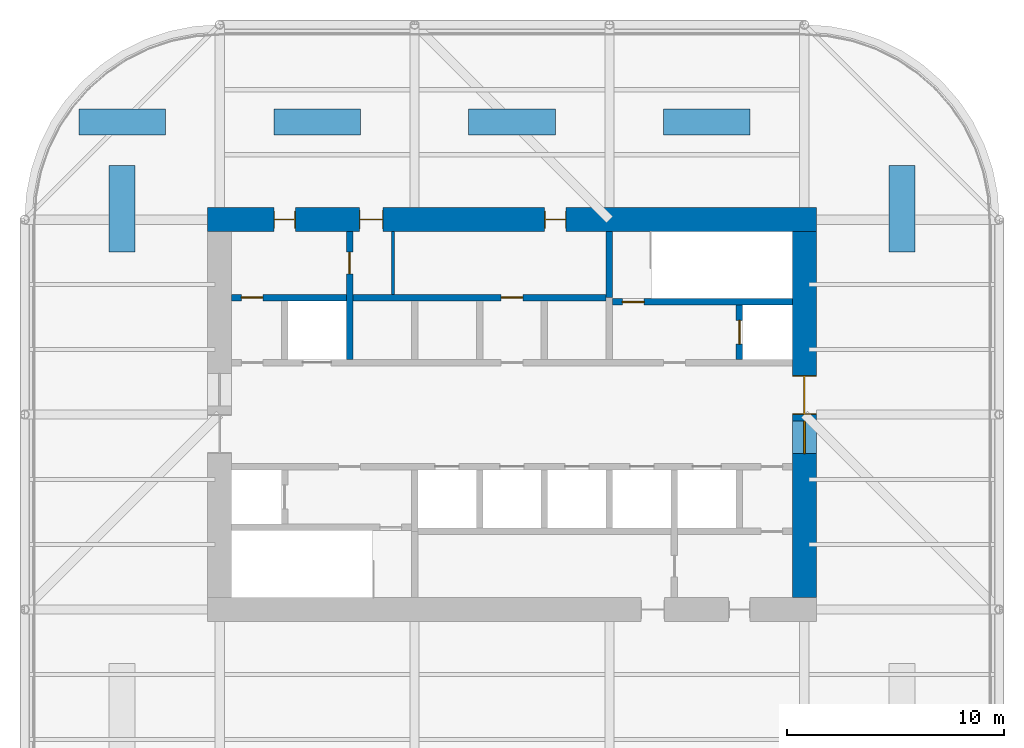
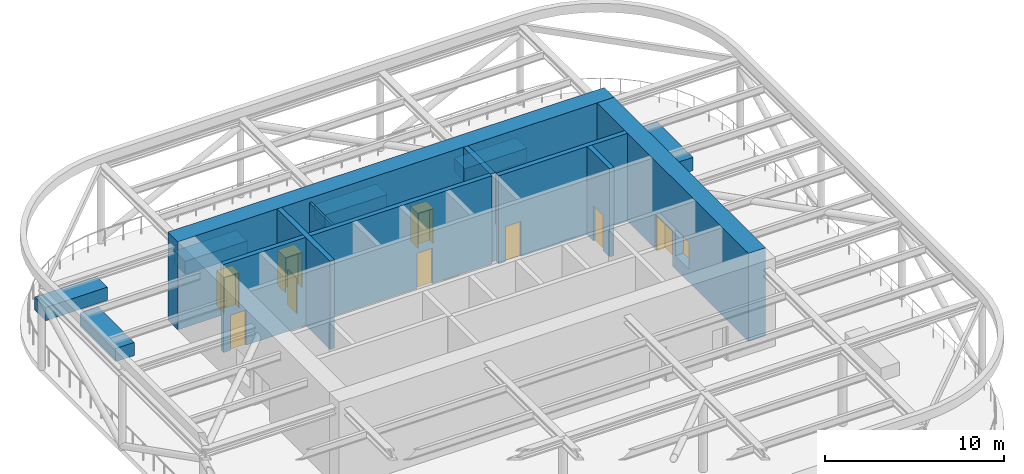
# One storey, part 6 of 8: 14 walls, 9 doors, 1 window, 10 openings.
"""IFC4 building model written with IfcOpenShell, lengths in metres."""

from ifc_helpers import new_model, si_unit, direction, frame, frame_2d, origin, place, context, subcontext, project, spatial, rectangle, extrude, material, layer, layer_set, type_object, element, fill, save


model = new_model("IFC4")

# Units and contexts
model_context = context("Model", 3, precision=1e-05, world=origin(), true_north=direction((0.0, 1.0)))
body_context = subcontext(model_context, "Body", "Model", "MODEL_VIEW")
ifc_project = project(units=[si_unit("LENGTHUNIT", "METRE"), si_unit("AREAUNIT", "SQUARE_METRE"), si_unit("VOLUMEUNIT", "CUBIC_METRE"), si_unit("PLANEANGLEUNIT", "RADIAN"), si_unit("MASSUNIT", "GRAM", prefix="KILO")], contexts=[model_context])

# Site, building, storey
site_placement = place(None, origin())
site = spatial("IfcSite", under=ifc_project, at=site_placement, CompositionType="ELEMENT")
building_placement = place(site_placement, origin())
building = spatial("IfcBuilding", under=site, at=building_placement, Name="Zorevar Civic Tower", CompositionType="ELEMENT")
storey_placement = place(building_placement, frame((0.0, 0.0, 311.800048828125)))
storey = spatial("IfcBuildingStorey", under=building, at=storey_placement, Name="RF", CompositionType="ELEMENT", Elevation=311.800048828125)

# Wall, openings, doors
ifc_material_1 = material(Name="Concrete C50/60", Category="concrete")
ifc_layer_1 = layer(ifc_material_1, 1.10009765625)
ifc_layer_set_1 = layer_set([ifc_layer_1], Name="Core wall 1100")
wall_type_1 = type_object("IfcWallType", Name="Core wall 1100", PredefinedType="SHEAR", material=ifc_layer_set_1)
wall_1_placement = place(storey_placement, frame((45.550048828125, 36.0, 0.0), z_axis=(0.0, 0.0, 1.0), x_axis=(-1.0, 0.0, 0.0)))
wall_1 = element("IfcWall", 1, at=wall_1_placement, inside=storey, type_object=wall_type_1, Name="Core wall N RF", PredefinedType="SHEAR", context=body_context, shape_type="SweptSolid", body=[
    extrude(rectangle(XDim=28.10009765625, YDim=1.10009765625, at=frame_2d((14.050048828125, 0.0))), origin(), (0.0, 0.0, 1.0), 6.0),
])
opening_1_placement = place(wall_1_placement, frame((11.550048828125, 0.0, 0.0)))
opening_1 = element("IfcOpeningElement", 2, at=opening_1_placement, cuts=wall_1, Name="Opening RF.05", PredefinedType="OPENING", context=body_context, shape_type="SweptSolid", body=[
    extrude(rectangle(XDim=1.0, YDim=2.39990234375, at=frame_2d((0.5, 1.199951171875))), frame((0.0, 0.56005859375, 0.0), z_axis=(0.0, -1.0, 0.0), x_axis=(1.0, 0.0, 0.0)), (0.0, 0.0, 1.0), 1.1201171875),
])
opening_2_placement = place(wall_1_placement, frame((20.0, 0.0, 0.0)))
opening_2 = element("IfcOpeningElement", 3, at=opening_2_placement, cuts=wall_1, Name="Opening RF.06", PredefinedType="OPENING", context=body_context, shape_type="SweptSolid", body=[
    extrude(rectangle(XDim=1.10009765625, YDim=2.39990234375, at=frame_2d((0.550048828125, 1.199951171875))), frame((0.0, 0.56005859375, 0.0), z_axis=(0.0, -1.0, 0.0), x_axis=(1.0, 0.0, 0.0)), (0.0, 0.0, 1.0), 1.1201171875),
])
opening_3_placement = place(wall_1_placement, frame((24.050048828125, 0.0, 0.0)))
opening_3 = element("IfcOpeningElement", 4, at=opening_3_placement, cuts=wall_1, Name="Opening RF.07", PredefinedType="OPENING", context=body_context, shape_type="SweptSolid", body=[
    extrude(rectangle(XDim=1.0, YDim=2.39990234375, at=frame_2d((0.5, 1.199951171875))), frame((0.0, 0.56005859375, 0.0), z_axis=(0.0, -1.0, 0.0), x_axis=(1.0, 0.0, 0.0)), (0.0, 0.0, 1.0), 1.1201171875),
])
ifc_material_2 = material(Name="Timber door set", Category="wood")
door_type_1 = type_object("IfcDoorType", Name="Door D1 1000x2400", OperationType="SINGLE_SWING_LEFT", PredefinedType="DOOR", material=ifc_material_2)
door_1_placement = place(opening_1_placement, origin())
door_1 = element("IfcDoor", 5, at=door_1_placement, inside=storey, type_object=door_type_1, Name="Door RF 06", OperationType="SINGLE_SWING_LEFT", OverallHeight=2.39990234375, OverallWidth=1.0, PredefinedType="DOOR", context=body_context, shape_type="SweptSolid", body=[
    extrude(rectangle(XDim=1.0, YDim=2.39990234375, at=frame_2d((0.5, 1.199951171875))), frame((0.0, 0.02490234375, 0.0), z_axis=(0.0, -1.0, 0.0), x_axis=(1.0, 0.0, 0.0)), (0.0, 0.0, 1.0), 0.050048828125),
    extrude(rectangle(XDim=0.04, YDim=2.39990234375, at=frame_2d((0.02001953125, 1.199951171875))), frame((0.0, 0.39990234375, 0.0), z_axis=(0.0, -1.0, 0.0), x_axis=(1.0, 0.0, 0.0)), (0.0, 0.0, 1.0), 0.800048828125),
    extrude(rectangle(XDim=0.04, YDim=2.39990234375, at=frame_2d((0.97998046875, 1.199951171875))), frame((0.0, 0.39990234375, 0.0), z_axis=(0.0, -1.0, 0.0), x_axis=(1.0, 0.0, 0.0)), (0.0, 0.0, 1.0), 0.800048828125),
    extrude(rectangle(XDim=1.0, YDim=0.04, at=frame_2d((0.5, 2.3798828125))), frame((0.0, 0.39990234375, 0.0), z_axis=(0.0, -1.0, 0.0), x_axis=(1.0, 0.0, 0.0)), (0.0, 0.0, 1.0), 0.800048828125),
])
fill(opening_1, door_1)
door_2_placement = place(opening_3_placement, origin())
door_2 = element("IfcDoor", 6, at=door_2_placement, inside=storey, type_object=door_type_1, Name="Door RF 09", OperationType="SINGLE_SWING_RIGHT", OverallHeight=2.39990234375, OverallWidth=1.0, PredefinedType="DOOR", context=body_context, shape_type="SweptSolid", body=[
    extrude(rectangle(XDim=1.0, YDim=2.39990234375, at=frame_2d((0.5, 1.199951171875))), frame((0.0, 0.02490234375, 0.0), z_axis=(0.0, -1.0, 0.0), x_axis=(1.0, 0.0, 0.0)), (0.0, 0.0, 1.0), 0.050048828125),
    extrude(rectangle(XDim=0.04, YDim=2.39990234375, at=frame_2d((0.02001953125, 1.199951171875))), frame((0.0, 0.39990234375, 0.0), z_axis=(0.0, -1.0, 0.0), x_axis=(1.0, 0.0, 0.0)), (0.0, 0.0, 1.0), 0.800048828125),
    extrude(rectangle(XDim=0.04, YDim=2.39990234375, at=frame_2d((0.97998046875, 1.199951171875))), frame((0.0, 0.39990234375, 0.0), z_axis=(0.0, -1.0, 0.0), x_axis=(1.0, 0.0, 0.0)), (0.0, 0.0, 1.0), 0.800048828125),
    extrude(rectangle(XDim=1.0, YDim=0.04, at=frame_2d((0.5, 2.3798828125))), frame((0.0, 0.39990234375, 0.0), z_axis=(0.0, -1.0, 0.0), x_axis=(1.0, 0.0, 0.0)), (0.0, 0.0, 1.0), 0.800048828125),
])
fill(opening_3, door_2)
ifc_material_3 = material(Name="Timber door set", Category="wood")
door_type_2 = type_object("IfcDoorType", Name="Door D5 1100x2400", OperationType="SINGLE_SWING_LEFT", PredefinedType="DOOR", material=ifc_material_3)
door_3_placement = place(opening_2_placement, origin())
door_3 = element("IfcDoor", 7, at=door_3_placement, inside=storey, type_object=door_type_2, Name="Door RF 08", OperationType="SINGLE_SWING_RIGHT", OverallHeight=2.39990234375, OverallWidth=1.10009765625, PredefinedType="DOOR", context=body_context, shape_type="SweptSolid", body=[
    extrude(rectangle(XDim=1.10009765625, YDim=2.39990234375, at=frame_2d((0.550048828125, 1.199951171875))), frame((0.0, 0.02490234375, 0.0), z_axis=(0.0, -1.0, 0.0), x_axis=(1.0, 0.0, 0.0)), (0.0, 0.0, 1.0), 0.050048828125),
    extrude(rectangle(XDim=0.04, YDim=2.39990234375, at=frame_2d((0.02001953125, 1.199951171875))), frame((0.0, 0.43994140625, 0.0), z_axis=(0.0, -1.0, 0.0), x_axis=(1.0, 0.0, 0.0)), (0.0, 0.0, 1.0), 0.880126953125),
    extrude(rectangle(XDim=0.04, YDim=2.39990234375, at=frame_2d((1.080078125, 1.199951171875))), frame((0.0, 0.43994140625, 0.0), z_axis=(0.0, -1.0, 0.0), x_axis=(1.0, 0.0, 0.0)), (0.0, 0.0, 1.0), 0.880126953125),
    extrude(rectangle(XDim=1.10009765625, YDim=0.04, at=frame_2d((0.550048828125, 2.3798828125))), frame((0.0, 0.43994140625, 0.0), z_axis=(0.0, -1.0, 0.0), x_axis=(1.0, 0.0, 0.0)), (0.0, 0.0, 1.0), 0.880126953125),
])
fill(opening_2, door_3)

# Wall, openings, door, window
wall_2_placement = place(storey_placement, frame((45.0, 18.550048828125, 0.0), z_axis=(0.0, 0.0, 1.0), x_axis=(0.0, 1.0, 0.0)))
wall_2 = element("IfcWall", 8, at=wall_2_placement, inside=storey, type_object=wall_type_1, Name="Core wall E RF", PredefinedType="SHEAR", context=body_context, shape_type="SweptSolid", body=[
    extrude(rectangle(XDim=16.89990234375, YDim=1.10009765625, at=frame_2d((8.449951171875, 0.0))), origin(), (0.0, 0.0, 1.0), 6.0),
])
opening_4_placement = place(wall_2_placement, frame((8.449951171875, 0.0, 0.0)))
opening_4 = element("IfcOpeningElement", 9, at=opening_4_placement, cuts=wall_2, Name="Opening RF.02", PredefinedType="OPENING", context=body_context, shape_type="SweptSolid", body=[
    extrude(rectangle(XDim=1.800048828125, YDim=2.39990234375, at=frame_2d((0.89990234375, 1.199951171875))), frame((0.0, 0.56005859375, 0.0), z_axis=(0.0, -1.0, 0.0), x_axis=(1.0, 0.0, 0.0)), (0.0, 0.0, 1.0), 1.1201171875),
])
opening_5_placement = place(wall_2_placement, frame((6.64990234375, 0.0, 0.89990234375)))
opening_5 = element("IfcOpeningElement", 10, at=opening_5_placement, cuts=wall_2, Name="Opening WR1", PredefinedType="OPENING", context=body_context, shape_type="SweptSolid", body=[
    extrude(rectangle(XDim=1.5, YDim=1.800048828125, at=frame_2d((0.75, 0.89990234375))), frame((0.0, 0.56005859375, 0.0), z_axis=(0.0, -1.0, 0.0), x_axis=(1.0, 0.0, 0.0)), (0.0, 0.0, 1.0), 1.1201171875),
])
ifc_material_4 = material(Name="Steel door set", Category="steel")
door_type_3 = type_object("IfcDoorType", Name="Fire door FD2 1800x2400", OperationType="DOUBLE_DOOR_DOUBLE_SWING", PredefinedType="DOOR", material=ifc_material_4)
door_4_placement = place(opening_4_placement, origin())
door_4 = element("IfcDoor", 11, at=door_4_placement, inside=storey, type_object=door_type_3, Name="Door RF 01", OperationType="DOUBLE_DOOR_DOUBLE_SWING", OverallHeight=2.39990234375, OverallWidth=1.800048828125, PredefinedType="DOOR", context=body_context, shape_type="SweptSolid", body=[
    extrude(rectangle(XDim=1.800048828125, YDim=2.39990234375, at=frame_2d((0.89990234375, 1.199951171875))), frame((0.0, 0.030029296875, 0.0), z_axis=(0.0, -1.0, 0.0), x_axis=(1.0, 0.0, 0.0)), (0.0, 0.0, 1.0), 0.06005859375),
    extrude(rectangle(XDim=0.04, YDim=2.39990234375, at=frame_2d((0.02001953125, 1.199951171875))), frame((0.0, 0.5498046875, 0.0), z_axis=(0.0, -1.0, 0.0), x_axis=(1.0, 0.0, 0.0)), (0.0, 0.0, 1.0), 1.099609375),
    extrude(rectangle(XDim=0.04, YDim=2.39990234375, at=frame_2d((1.780029296875, 1.199951171875))), frame((0.0, 0.5498046875, 0.0), z_axis=(0.0, -1.0, 0.0), x_axis=(1.0, 0.0, 0.0)), (0.0, 0.0, 1.0), 1.099609375),
    extrude(rectangle(XDim=1.800048828125, YDim=0.04, at=frame_2d((0.89990234375, 2.3798828125))), frame((0.0, 0.5498046875, 0.0), z_axis=(0.0, -1.0, 0.0), x_axis=(1.0, 0.0, 0.0)), (0.0, 0.0, 1.0), 1.099609375),
])
fill(opening_4, door_4)
ifc_material_5 = material(Name="Black aluminium frame with fire-resisting glass", Category="aluminium")
window_type = type_object("IfcWindowType", Name="Window WR1 1500x1800", PartitioningType="SINGLE_PANEL", PredefinedType="WINDOW", material=ifc_material_5)
window_placement = place(opening_5_placement, origin())
window = element("IfcWindow", 12, at=window_placement, inside=storey, type_object=window_type, Name="Lift lobby window E", OverallHeight=1.800048828125, OverallWidth=1.5, PartitioningType="SINGLE_PANEL", PredefinedType="WINDOW", context=body_context, shape_type="SweptSolid", body=[
    extrude(rectangle(XDim=1.5, YDim=1.800048828125, at=frame_2d((0.75, 0.89990234375))), frame((0.0, 0.030029296875, 0.0), z_axis=(0.0, -1.0, 0.0), x_axis=(1.0, 0.0, 0.0)), (0.0, 0.0, 1.0), 0.06005859375),
])
fill(opening_5, window)

# Wall, opening, door
ifc_material_6 = material(Name="Concrete C40/50", Category="concrete")
ifc_layer_2 = layer(ifc_material_6, 0.300048828125)
ifc_layer_set_2 = layer_set([ifc_layer_2], Name="Inner core wall 300")
wall_type_2 = type_object("IfcWallType", Name="Inner core wall 300", PredefinedType="SHEAR", material=ifc_layer_set_2)
wall_3_placement = place(storey_placement, frame((36.14990234375, 32.199951171875, 0.0), z_axis=(0.0, 0.0, 1.0), x_axis=(1.0, 0.0, 0.0)))
wall_3 = element("IfcWall", 13, at=wall_3_placement, inside=storey, type_object=wall_type_2, Name="Inner core wall N00 RF", PredefinedType="SHEAR", context=body_context, shape_type="SweptSolid", body=[
    extrude(rectangle(XDim=8.300048828125, YDim=0.300048828125, at=frame_2d((4.14990234375, 0.0))), origin(), (0.0, 0.0, 1.0), 6.0),
])
opening_6_placement = place(wall_3_placement, frame((0.449951171875, 0.0, 0.0)))
opening_6 = element("IfcOpeningElement", 14, at=opening_6_placement, cuts=wall_3, Name="Opening RF.09", PredefinedType="OPENING", context=body_context, shape_type="SweptSolid", body=[
    extrude(rectangle(XDim=1.0, YDim=2.39990234375, at=frame_2d((0.5, 1.199951171875))), frame((0.0, 0.159912109375, 0.0), z_axis=(0.0, -1.0, 0.0), x_axis=(1.0, 0.0, 0.0)), (0.0, 0.0, 1.0), 0.320068359375),
])
ifc_material_7 = material(Name="Steel door set", Category="steel")
door_type_4 = type_object("IfcDoorType", Name="Fire door FD1 1000x2400", OperationType="SINGLE_SWING_LEFT", PredefinedType="DOOR", material=ifc_material_7)
door_5_placement = place(opening_6_placement, origin())
door_5 = element("IfcDoor", 15, at=door_5_placement, inside=storey, type_object=door_type_4, Name="Door RF 11", OperationType="SINGLE_SWING_RIGHT", OverallHeight=2.39990234375, OverallWidth=1.0, PredefinedType="DOOR", context=body_context, shape_type="SweptSolid", body=[
    extrude(rectangle(XDim=1.0, YDim=2.39990234375, at=frame_2d((0.5, 1.199951171875))), frame((0.0, 0.030029296875, 0.0), z_axis=(0.0, -1.0, 0.0), x_axis=(1.0, 0.0, 0.0)), (0.0, 0.0, 1.0), 0.06005859375),
])
fill(opening_6, door_5)

# Wall
wall_4_placement = place(storey_placement, frame((36.0, 32.39990234375, 0.0), z_axis=(0.0, 0.0, 1.0), x_axis=(0.0, 1.0, 0.0)))
element("IfcWall", 16, at=wall_4_placement, inside=storey, type_object=wall_type_2, Name="Inner core wall N01 RF", PredefinedType="SHEAR", context=body_context, shape_type="SweptSolid", body=[
    extrude(rectangle(XDim=3.050048828125, YDim=0.300048828125, at=frame_2d((1.52490234375, 0.0))), origin(), (0.0, 0.0, 1.0), 6.0),
])

# Wall, opening, door
wall_5_placement = place(storey_placement, frame((42.0, 29.550048828125, 0.0), z_axis=(0.0, 0.0, 1.0), x_axis=(0.0, 1.0, 0.0)))
wall_5 = element("IfcWall", 17, at=wall_5_placement, inside=storey, type_object=wall_type_2, Name="Inner core wall N02 RF", PredefinedType="SHEAR", context=body_context, shape_type="SweptSolid", body=[
    extrude(rectangle(XDim=2.5, YDim=0.300048828125, at=frame_2d((1.25, 0.0))), origin(), (0.0, 0.0, 1.0), 6.0),
])
opening_7_placement = place(wall_5_placement, frame((0.699951171875, 0.0, 0.0)))
opening_7 = element("IfcOpeningElement", 18, at=opening_7_placement, cuts=wall_5, Name="Opening RF.FL2", PredefinedType="OPENING", context=body_context, shape_type="SweptSolid", body=[
    extrude(rectangle(XDim=1.10009765625, YDim=2.39990234375, at=frame_2d((0.550048828125, 1.199951171875))), frame((0.0, 0.159912109375, 0.0), z_axis=(0.0, -1.0, 0.0), x_axis=(1.0, 0.0, 0.0)), (0.0, 0.0, 1.0), 0.320068359375),
])
ifc_material_8 = material(Name="Steel door set", Category="steel")
door_type_5 = type_object("IfcDoorType", Name="Firefighting lift landing door LD3 1100x2400", OperationType="DOUBLE_DOOR_SLIDING", PredefinedType="DOOR", material=ifc_material_8)
door_6_placement = place(opening_7_placement, origin())
door_6 = element("IfcDoor", 19, at=door_6_placement, inside=storey, type_object=door_type_5, Name="Landing door FL2 RF", OperationType="DOUBLE_DOOR_SLIDING", OverallHeight=2.39990234375, OverallWidth=1.10009765625, PredefinedType="DOOR", context=body_context, shape_type="SweptSolid", body=[
    extrude(rectangle(XDim=1.10009765625, YDim=2.39990234375, at=frame_2d((0.550048828125, 1.199951171875))), frame((0.0, 0.030029296875, 0.0), z_axis=(0.0, -1.0, 0.0), x_axis=(1.0, 0.0, 0.0)), (0.0, 0.0, 1.0), 0.06005859375),
])
fill(opening_7, door_6)

# Wall, openings, doors
wall_6_placement = place(storey_placement, frame((18.550048828125, 32.39990234375, 0.0), z_axis=(0.0, 0.0, 1.0), x_axis=(1.0, 0.0, 0.0)))
wall_6 = element("IfcWall", 20, at=wall_6_placement, inside=storey, type_object=wall_type_2, Name="Inner core wall N04 RF", PredefinedType="SHEAR", context=body_context, shape_type="SweptSolid", body=[
    extrude(rectangle(XDim=17.300048828125, YDim=0.300048828125, at=frame_2d((8.64990234375, 0.0))), origin(), (0.0, 0.0, 1.0), 6.0),
])
opening_8_placement = place(wall_6_placement, frame((0.449951171875, 0.0, 0.0)))
opening_8 = element("IfcOpeningElement", 21, at=opening_8_placement, cuts=wall_6, Name="Opening RF.15", PredefinedType="OPENING", context=body_context, shape_type="SweptSolid", body=[
    extrude(rectangle(XDim=1.0, YDim=2.39990234375, at=frame_2d((0.5, 1.199951171875))), frame((0.0, 0.159912109375, 0.0), z_axis=(0.0, -1.0, 0.0), x_axis=(1.0, 0.0, 0.0)), (0.0, 0.0, 1.0), 0.320068359375),
])
opening_9_placement = place(wall_6_placement, frame((12.449951171875, 0.0, 0.0)))
opening_9 = element("IfcOpeningElement", 22, at=opening_9_placement, cuts=wall_6, Name="Opening RF.19", PredefinedType="OPENING", context=body_context, shape_type="SweptSolid", body=[
    extrude(rectangle(XDim=1.0, YDim=2.39990234375, at=frame_2d((0.5, 1.199951171875))), frame((0.0, 0.159912109375, 0.0), z_axis=(0.0, -1.0, 0.0), x_axis=(1.0, 0.0, 0.0)), (0.0, 0.0, 1.0), 0.320068359375),
])
door_7_placement = place(opening_8_placement, origin())
door_7 = element("IfcDoor", 23, at=door_7_placement, inside=storey, type_object=door_type_4, Name="Door RF 17", OperationType="SINGLE_SWING_RIGHT", OverallHeight=2.39990234375, OverallWidth=1.0, PredefinedType="DOOR", context=body_context, shape_type="SweptSolid", body=[
    extrude(rectangle(XDim=1.0, YDim=2.39990234375, at=frame_2d((0.5, 1.199951171875))), frame((0.0, 0.030029296875, 0.0), z_axis=(0.0, -1.0, 0.0), x_axis=(1.0, 0.0, 0.0)), (0.0, 0.0, 1.0), 0.06005859375),
])
fill(opening_8, door_7)
door_8_placement = place(opening_9_placement, origin())
door_8 = element("IfcDoor", 24, at=door_8_placement, inside=storey, type_object=door_type_4, Name="Door RF 21", OperationType="SINGLE_SWING_LEFT", OverallHeight=2.39990234375, OverallWidth=1.0, PredefinedType="DOOR", context=body_context, shape_type="SweptSolid", body=[
    extrude(rectangle(XDim=1.0, YDim=2.39990234375, at=frame_2d((0.5, 1.199951171875))), frame((0.0, 0.030029296875, 0.0), z_axis=(0.0, -1.0, 0.0), x_axis=(1.0, 0.0, 0.0)), (0.0, 0.0, 1.0), 0.06005859375),
])
fill(opening_9, door_8)

# Wall, opening, door
wall_7_placement = place(storey_placement, frame((24.0, 29.550048828125, 0.0), z_axis=(0.0, 0.0, 1.0), x_axis=(0.0, 1.0, 0.0)))
wall_7 = element("IfcWall", 25, at=wall_7_placement, inside=storey, type_object=wall_type_2, Name="Inner core wall N08 RF", PredefinedType="SHEAR", context=body_context, shape_type="SweptSolid", body=[
    extrude(rectangle(XDim=5.89990234375, YDim=0.300048828125, at=frame_2d((2.949951171875, 0.0))), origin(), (0.0, 0.0, 1.0), 6.0),
])
opening_10_placement = place(wall_7_placement, frame((3.949951171875, 0.0, 0.0)))
opening_10 = element("IfcOpeningElement", 26, at=opening_10_placement, cuts=wall_7, Name="Opening RF.17", PredefinedType="OPENING", context=body_context, shape_type="SweptSolid", body=[
    extrude(rectangle(XDim=1.0, YDim=2.39990234375, at=frame_2d((0.5, 1.199951171875))), frame((0.0, 0.159912109375, 0.0), z_axis=(0.0, -1.0, 0.0), x_axis=(1.0, 0.0, 0.0)), (0.0, 0.0, 1.0), 0.320068359375),
])
door_9_placement = place(opening_10_placement, origin())
door_9 = element("IfcDoor", 27, at=door_9_placement, inside=storey, type_object=door_type_4, Name="Door RF 19", OperationType="SINGLE_SWING_RIGHT", OverallHeight=2.39990234375, OverallWidth=1.0, PredefinedType="DOOR", context=body_context, shape_type="SweptSolid", body=[
    extrude(rectangle(XDim=1.0, YDim=2.39990234375, at=frame_2d((0.5, 1.199951171875))), frame((0.0, 0.030029296875, 0.0), z_axis=(0.0, -1.0, 0.0), x_axis=(1.0, 0.0, 0.0)), (0.0, 0.0, 1.0), 0.06005859375),
])
fill(opening_10, door_9)

# Walls
ifc_material_9 = material(Name="Precast concrete planter", Category="concrete")
ifc_layer_3 = layer(ifc_material_9, 1.199951171875)
ifc_layer_set_3 = layer_set([ifc_layer_3], Name="Planter PL1 1200")
wall_type_3 = type_object("IfcWallType", Name="Planter PL1 1200", PredefinedType="USERDEFINED", material=ifc_layer_set_3)
for number, where, z_axis, x_axis, name in (
    (28, (11.5, 40.5, 0.0), (0.0, 0.0, 1.0), (1.0, 0.0, 0.0), "Planter RF"),
    (29, (20.5, 40.5, 0.0), (0.0, 0.0, 1.0), (1.0, 0.0, 0.0), "Planter RF"),
    (30, (29.5, 40.5, 0.0), (0.0, 0.0, 1.0), (1.0, 0.0, 0.0), "Planter RF"),
    (31, (38.5, 40.5, 0.0), (0.0, 0.0, 1.0), (1.0, 0.0, 0.0), "Planter RF"),
    (32, (49.5, 38.5, 0.0), (0.0, 0.0, 1.0), (0.0, -1.0, 0.0), "Planter RF"),
    (33, (13.5, 38.5, 0.0), (0.0, 0.0, 1.0), (0.0, -1.0, 0.0), "Planter RF"),
):
    element("IfcWall", number, at=place(storey_placement, frame(where, z_axis=z_axis, x_axis=x_axis)), inside=storey, type_object=wall_type_3, Name=name, ObjectType="PLANTER", PredefinedType="USERDEFINED", context=body_context, shape_type="SweptSolid", body=[
        extrude(rectangle(XDim=4.0, YDim=1.199951171875, at=frame_2d((2.0, 0.0))), origin(), (0.0, 0.0, 1.0), 0.89990234375),
    ])
ifc_material_10 = material(Name="Gypsum board on steel studs, moisture resistant", Category="steel")
ifc_layer_4 = layer(ifc_material_10, 0.14990234375)
ifc_layer_set_4 = layer_set([ifc_layer_4], Name="WC partition 150")
wall_type_4 = type_object("IfcWallType", Name="WC partition 150", PredefinedType="PARTITIONING", material=ifc_layer_set_4)
wall_8_placement = place(storey_placement, frame((26.0, 32.550048828125, 0.0), z_axis=(0.0, 0.0, 1.0), x_axis=(0.0, 1.0, 0.0)))
element("IfcWall", 34, at=wall_8_placement, inside=storey, type_object=wall_type_4, Name="WC partition RF", PredefinedType="PARTITIONING", context=body_context, shape_type="SweptSolid", body=[
    extrude(rectangle(XDim=2.89990234375, YDim=0.14990234375, at=frame_2d((1.449951171875, 0.0))), origin(), (0.0, 0.0, 1.0), 5.699951171875),
])

save(model, "model.ifc")
